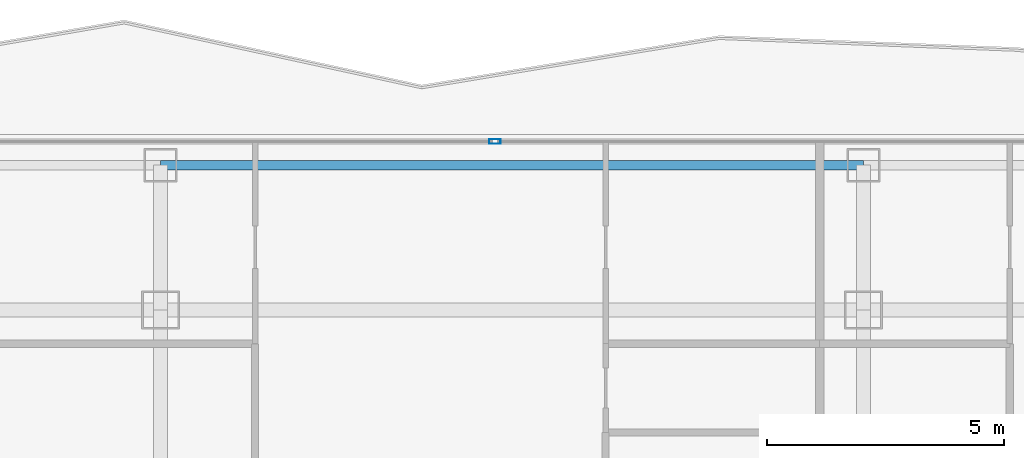
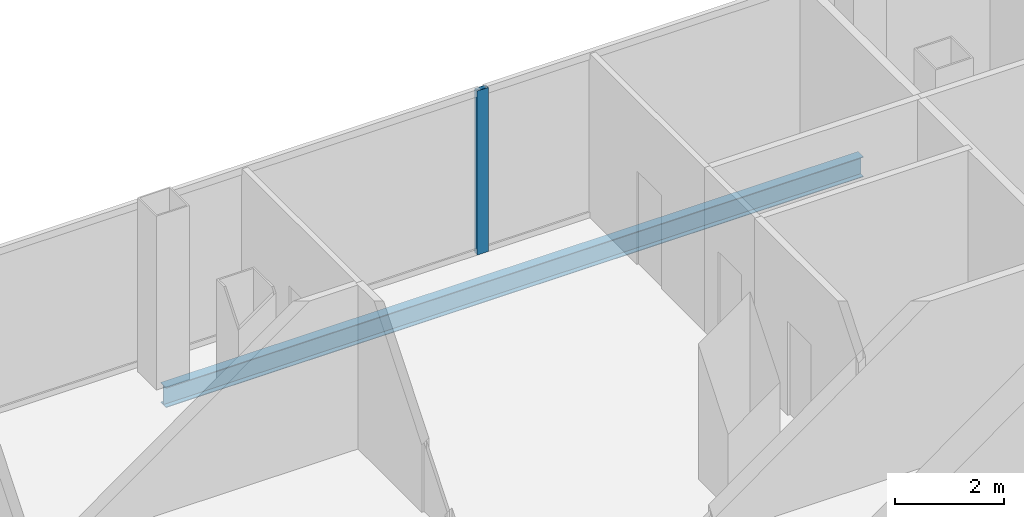
# One storey, part 14 of 27: 1 beam, 1 member, 1 element without a shape of its own.
"""IFC4 building model written with IfcOpenShell, lengths in metres."""

import ifcopenshell
import ifcopenshell.guid

model = None  # the IFC model being written
_history = None  # IfcOwnerHistory: only IFC2X3 demands one
_inside = {}  # id of a spatial element -> (the spatial element, [elements in it])
_under = {}  # id of a project, library or spatial element -> (it, [spatial elements below it])
_declared = {}  # id of a project -> (the project, [libraries it declares])
_typed = {}  # id of a type object -> (the type object, [elements of that type])
_made_of = {}  # id of a material, layer set ... -> (it, [elements and type objects made of it])


def new_model(schema):
    """Start an empty IFC model of exactly this schema.

    Asked for "IFC4X3", IfcOpenShell would pick the latest addendum, in which some entities
    have other attributes; the version numbers below select the first issue.
    IFC2X3 requires an IfcOwnerHistory on every rooted entity: one is made here for all.
    """
    global model, _history
    if schema == "IFC4X3":
        model = ifcopenshell.file(schema_version=(4, 3, 0, 0))
    else:
        model = ifcopenshell.file(schema=schema)
    _inside.clear()
    _under.clear()
    _declared.clear()
    _typed.clear()
    _made_of.clear()
    _history = None
    if model.schema == "IFC2X3":
        org = make("IfcOrganization", Name="unknown")
        user = make(
            "IfcPersonAndOrganization",
            ThePerson=make("IfcPerson", FamilyName="unknown"),
            TheOrganization=org,
        )
        app = make(
            "IfcApplication",
            ApplicationDeveloper=org,
            Version="unknown",
            ApplicationFullName="unknown",
            ApplicationIdentifier="unknown",
        )
        _history = make(
            "IfcOwnerHistory",
            OwningUser=user,
            OwningApplication=app,
            ChangeAction="ADDED",
            CreationDate=0,
        )
    return model


def make(cls, **values):
    """One entity of the class cls with the attributes given. An attribute that is None is left unset."""
    return model.create_entity(
        cls, **{name: value for name, value in values.items() if value is not None}
    )


def rooted(cls, **values):
    """An entity with a GlobalId (a new one), such as an element, a storey or a relation."""
    return make(cls, GlobalId=ifcopenshell.guid.new(), OwnerHistory=_history, **values)


def si_unit(unit_type, name, prefix=None):
    """IfcSIUnit, for example si_unit("LENGTHUNIT", "METRE", prefix="MILLI")."""
    return make("IfcSIUnit", UnitType=unit_type, Prefix=prefix, Name=name)


def assignment(units):
    """IfcUnitAssignment: the units of a project."""
    return None if units is None else make("IfcUnitAssignment", Units=units)


def point(xyz):
    """IfcCartesianPoint."""
    return None if xyz is None else make("IfcCartesianPoint", Coordinates=xyz)


def direction(xyz):
    """IfcDirection."""
    return None if xyz is None else make("IfcDirection", DirectionRatios=xyz)


def frame(location, z_axis=None, x_axis=None):
    """IfcAxis2Placement3D, a coordinate frame: its origin and axes. An axis left out is left unset."""
    return make(
        "IfcAxis2Placement3D",
        Location=point(location),
        Axis=direction(z_axis),
        RefDirection=direction(x_axis),
    )


def frame_2d(location, x_axis=None):
    """IfcAxis2Placement2D, a coordinate frame in the plane: its origin and x axis."""
    return make(
        "IfcAxis2Placement2D", Location=point(location), RefDirection=direction(x_axis)
    )


def origin():
    """The frame at (0, 0, 0) with its axes left unset."""
    return frame((0.0, 0.0, 0.0))


def origin_2d():
    """The frame at (0, 0) in the plane with its x axis left unset."""
    return frame_2d((0.0, 0.0))


def place(relative_to, where):
    """IfcLocalPlacement: puts the frame where relative to a parent placement (None: the world)."""
    return make(
        "IfcLocalPlacement", PlacementRelTo=relative_to, RelativePlacement=where
    )


def context(
    kind, dimensions, precision=None, world=None, true_north=None, identifier=None
):
    """IfcGeometricRepresentationContext, for example the 3D "Model" context."""
    return make(
        "IfcGeometricRepresentationContext",
        ContextIdentifier=identifier,
        ContextType=kind,
        CoordinateSpaceDimension=dimensions,
        Precision=precision,
        WorldCoordinateSystem=world,
        TrueNorth=true_north,
    )


def subcontext(parent, identifier, kind, view, scale=None):
    """IfcGeometricRepresentationSubContext, for example "Body" below "Model"."""
    return make(
        "IfcGeometricRepresentationSubContext",
        ContextIdentifier=identifier,
        ContextType=kind,
        ParentContext=parent,
        TargetScale=scale,
        TargetView=view,
    )


def project(units=None, contexts=None):
    """IfcProject with its units and contexts."""
    return rooted(
        "IfcProject",
        Name="project",
        RepresentationContexts=contexts,
        UnitsInContext=assignment(units),
    )


def spatial(cls, under=None, at=None, **own):
    """A site, building, storey or space (cls), placed at a placement, below another one or the project."""
    s = rooted(cls, ObjectPlacement=at, **own)
    if under is not None:
        _under.setdefault(under.id(), (under, []))[1].append(s)
    return s


def profile(cls, at=None, kind="AREA", **sizes):
    """A parametric profile (cls). Its sizes go by their IFC names, for example OverallWidth=200.0."""
    return make(cls, ProfileType=kind, Position=at, **sizes)


def hollow_rectangle(**sizes):
    """IfcRectangleHollowProfileDef."""
    return profile("IfcRectangleHollowProfileDef", **sizes)


def i_section(**sizes):
    """IfcIShapeProfileDef."""
    return profile("IfcIShapeProfileDef", **sizes)


def extrude(swept, where, along, depth):
    """IfcExtrudedAreaSolid: the profile swept, set in the frame where, extruded along a direction by depth."""
    return make(
        "IfcExtrudedAreaSolid",
        SweptArea=swept,
        Position=where,
        ExtrudedDirection=direction(along),
        Depth=depth,
    )


def shape(context_of_items, identifier, shape_type, items):
    """IfcShapeRepresentation: the items that make up one representation, for example the "Body"."""
    return make(
        "IfcShapeRepresentation",
        ContextOfItems=context_of_items,
        RepresentationIdentifier=identifier,
        RepresentationType=shape_type,
        Items=items,
    )


def material(Name=None, Category=None):
    """IfcMaterial."""
    return make("IfcMaterial", Name=Name, Category=Category)


def layer(
    of_material, thickness, ventilated=None, Name=None, Category=None, Priority=None
):
    """IfcMaterialLayer: one layer of a wall or slab, of a material (None: an air gap)."""
    return make(
        "IfcMaterialLayer",
        Material=of_material,
        LayerThickness=thickness,
        IsVentilated=ventilated,
        Name=Name,
        Category=Category,
        Priority=Priority,
    )


def layer_set(layers, Name=None):
    """IfcMaterialLayerSet."""
    return make("IfcMaterialLayerSet", MaterialLayers=layers, LayerSetName=Name)


def material_profile(
    of_material, cross_section, Name=None, Category=None, Priority=None
):
    """IfcMaterialProfile: a cross section and its material."""
    return make(
        "IfcMaterialProfile",
        Name=Name,
        Material=of_material,
        Profile=cross_section,
        Priority=Priority,
        Category=Category,
    )


def profile_set(profiles, Name=None, composite=None):
    """IfcMaterialProfileSet."""
    return make(
        "IfcMaterialProfileSet",
        Name=Name,
        MaterialProfiles=profiles,
        CompositeProfile=composite,
    )


def made_of(thing, what):
    """Note that an element or type object is made of a material, layer set ...; save() writes the relation."""
    if what is not None:
        _made_of.setdefault(what.id(), (what, []))[1].append(thing)
    return thing


def type_object(cls, material=None, **own):
    """A type object (cls), such as IfcWallType, which elements share."""
    return made_of(rooted(cls, **own), material)


def element(
    cls,
    number,
    at=None,
    inside=None,
    cuts=None,
    type_object=None,
    material=None,
    context=None,
    identifier="Body",
    shape_type=None,
    held_by="IfcProductDefinitionShape",
    body=None,
    shapes=None,
    **own,
):
    """One element of the class cls, such as IfcWall. Its Tag is "e" and its number.

    at: its placement. inside: the storey or other place that contains it. cuts: it is an
    opening in that element (IfcRelVoidsElement). A single representation is given by context,
    identifier, shape_type and body (its items); several are given by shapes. held_by: the class
    of the entity that holds the representations. save() writes the other relations.
    """
    e = rooted(cls, Tag="e%d" % number, ObjectPlacement=at, **own)
    if body is not None:
        shapes = [shape(context, identifier, shape_type, body)]
    if shapes is not None:
        e.Representation = make(held_by, Representations=shapes)
    if inside is not None:
        _inside.setdefault(inside.id(), (inside, []))[1].append(e)
    if cuts is not None:
        rooted(
            "IfcRelVoidsElement", RelatingBuildingElement=cuts, RelatedOpeningElement=e
        )
    if type_object is not None:
        _typed.setdefault(type_object.id(), (type_object, []))[1].append(e)
    return made_of(e, material)


def aggregate(whole, parts):
    """IfcRelAggregates: a whole, such as a stair, and the parts it consists of."""
    return rooted("IfcRelAggregates", RelatingObject=whole, RelatedObjects=parts)


def save(model, path):
    """Write the relations noted so far, then the file.

    IfcRelAggregates (storeys below a building ...), IfcRelContainedInSpatialStructure (elements
    in a storey), IfcRelDefinesByType, IfcRelAssociatesMaterial and IfcRelDeclares: one each for
    every whole, place, type object, material and project.
    """
    for whole, parts in _under.values():
        aggregate(whole, parts)
    for where, things in _inside.values():
        rooted(
            "IfcRelContainedInSpatialStructure",
            RelatedElements=things,
            RelatingStructure=where,
        )
    for kind, things in _typed.values():
        rooted("IfcRelDefinesByType", RelatedObjects=things, RelatingType=kind)
    for what, things in _made_of.values():
        rooted("IfcRelAssociatesMaterial", RelatedObjects=things, RelatingMaterial=what)
    for by, libraries in _declared.values():
        rooted("IfcRelDeclares", RelatingContext=by, RelatedDefinitions=libraries)
    model.write(path)


model = new_model("IFC4")

# Units and contexts
model_context = context("Model", 3, precision=1e-05, world=origin(), true_north=direction((0.0, 1.0)))
body_context = subcontext(model_context, "Body", "Model", "MODEL_VIEW")
ifc_project = project(units=[si_unit("LENGTHUNIT", "METRE"), si_unit("AREAUNIT", "SQUARE_METRE"), si_unit("VOLUMEUNIT", "CUBIC_METRE"), si_unit("PLANEANGLEUNIT", "RADIAN"), si_unit("MASSUNIT", "GRAM", prefix="KILO")], contexts=[model_context])

# Site, building, storey
site_placement = place(None, origin())
site = spatial("IfcSite", under=ifc_project, at=site_placement, CompositionType="ELEMENT")
building_placement = place(site_placement, origin())
building = spatial("IfcBuilding", under=site, at=building_placement, Name="Khorvyn Point Tower", CompositionType="ELEMENT")
storey_placement = place(building_placement, frame((0.0, 0.0, 179.699951171875)))
storey = spatial("IfcBuildingStorey", under=building, at=storey_placement, Name="L44", CompositionType="ELEMENT", Elevation=179.699951171875)

# Curtain wall, member
ifc_material_1 = material(Name="Anodised aluminium 6063-T6 and laminated Low-E glass", Category="aluminium")
ifc_layer = layer(ifc_material_1, 0.18994140625)
ifc_layer_set = layer_set([ifc_layer], Name="Stick-Built Acoustic Curtain Wall CW-SYS-03")
curtain_wall_type = type_object("IfcCurtainWallType", Name="Stick-Built Acoustic Curtain Wall CW-SYS-03", PredefinedType="NOTDEFINED", material=ifc_layer_set)
curtain_wall_placement = place(storey_placement, origin())
curtain_wall = element("IfcCurtainWall", 1, at=curtain_wall_placement, inside=storey, type_object=curtain_wall_type, Name="Curtain Wall", PredefinedType="NOTDEFINED")
ifc_material_2 = material(Name="Anodised aluminium 6063-T6", Category="aluminium")
ifc_material_profile_1 = material_profile(ifc_material_2, hollow_rectangle(XDim=0.10009765625, YDim=0.239990234375, WallThickness=0.0048828125, at=origin_2d()))
ifc_profile_set_1 = profile_set([ifc_material_profile_1], Name="Anodised aluminium 6063-T6 ALU-MUL-100x240")
member_type = type_object("IfcMemberType", Name="Anodised Aluminium 6063-T6 Mullion ALU-MUL-100x240", PredefinedType="MULLION", material=ifc_profile_set_1)
member_placement = place(storey_placement, frame((-0.35888671875, 23.64990234375, 0.0), z_axis=(0.0, 0.0, 1.0), x_axis=(0.0, 1.0, 0.0)))
member = element("IfcMember", 2, at=member_placement, type_object=member_type, Name="Transom", PredefinedType="MULLION", context=body_context, shape_type="SweptSolid", body=[
    extrude(hollow_rectangle(XDim=0.10009765625, YDim=0.239990234375, WallThickness=0.0048828125, at=origin_2d()), origin(), (0.0, 0.0, 1.0), 3.679931640625),
])
aggregate(curtain_wall, [member])

# Beam
ifc_material_3 = material(Name="Steel S355", Category="steel")
ifc_material_profile_2 = material_profile(ifc_material_3, i_section(OverallWidth=0.199951171875, OverallDepth=0.449951171875, WebThickness=0.009033203125, FlangeThickness=0.013916015625, at=origin_2d()))
ifc_profile_set_2 = profile_set([ifc_material_profile_2], Name="Steel S355 H450x200x9x14")
beam_type = type_object("IfcBeamType", Name="Steel S355 Spandrel H450x200x9x14", PredefinedType="SPANDREL", material=ifc_profile_set_2)
beam_placement = place(storey_placement, frame((-7.39990234375, 23.14990234375, -0.445068359375), z_axis=(1.0, 0.0, 0.0), x_axis=(0.0, 1.0, 0.0)))
element("IfcBeam", 3, at=beam_placement, inside=storey, type_object=beam_type, Name="Beam", PredefinedType="SPANDREL", context=body_context, shape_type="SweptSolid", body=[
    extrude(i_section(OverallWidth=0.199951171875, OverallDepth=0.449951171875, WebThickness=0.009033203125, FlangeThickness=0.013916015625, at=origin_2d()), origin(), (0.0, 0.0, 1.0), 14.7998046875),
])

save(model, "model.ifc")
